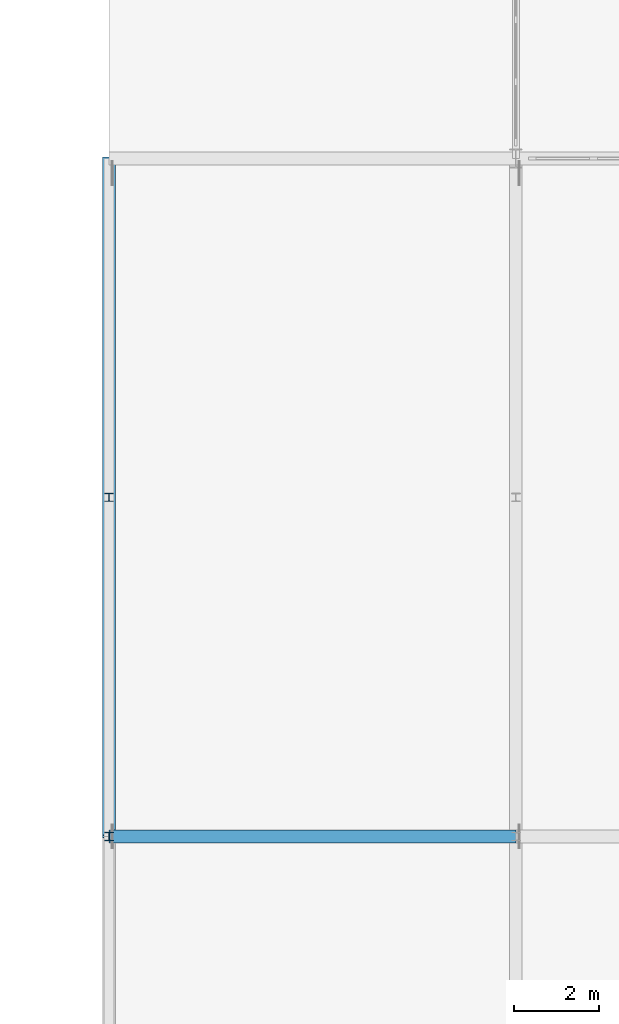
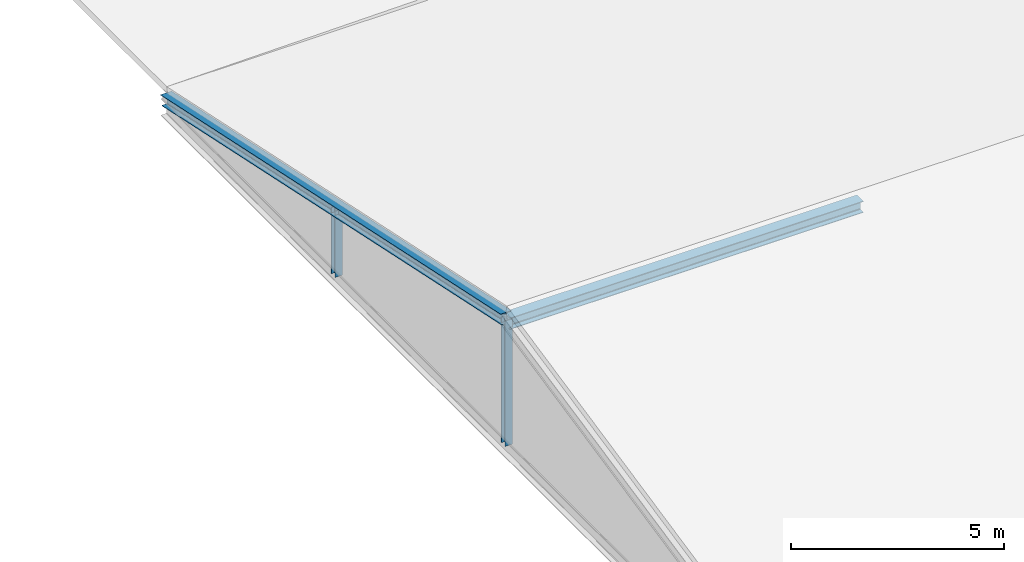
# One storey, part 26 of 85: 3 members, 1 beam.
"""IFC4 building model written with IfcOpenShell, lengths in metres."""

from ifc_helpers import new_model, si_unit, direction, frame, origin, origin_2d, place, context, subcontext, project, spatial, i_section, extrude, material, material_profile, profile_set, type_object, element, save


model = new_model("IFC4")

# Units and contexts
model_context = context("Model", 3, precision=1e-05, world=origin(), true_north=direction((0.0, 1.0)))
body_context = subcontext(model_context, "Body", "Model", "MODEL_VIEW")
ifc_project = project(units=[si_unit("LENGTHUNIT", "METRE"), si_unit("AREAUNIT", "SQUARE_METRE"), si_unit("VOLUMEUNIT", "CUBIC_METRE"), si_unit("PLANEANGLEUNIT", "RADIAN"), si_unit("MASSUNIT", "GRAM", prefix="KILO")], contexts=[model_context])

# Site, building, storey
site_placement = place(None, origin())
site = spatial("IfcSite", under=ifc_project, at=site_placement, CompositionType="ELEMENT")
building_placement = place(site_placement, origin())
building = spatial("IfcBuilding", under=site, at=building_placement, Name="Alderhovde Museum", CompositionType="ELEMENT")
storey_placement = place(building_placement, frame((0.0, 0.0, 8.699951171875)))
storey = spatial("IfcBuildingStorey", under=building, at=storey_placement, Name="L02", CompositionType="ELEMENT", Elevation=8.699951171875)

# Beam
ifc_material_1 = material(Name="Steel S355J2", Category="steel")
ifc_material_profile_1 = material_profile(ifc_material_1, i_section(OverallWidth=0.300048828125, OverallDepth=0.330078125, WebThickness=0.009521484375, FlangeThickness=0.0166015625, FilletRadius=0.027099609375, at=origin_2d()), Name="HEA 340")
ifc_profile_set_1 = profile_set([ifc_material_profile_1], Name="Steel S355J2")
beam_type = type_object("IfcBeamType", Name="BM-HEA340", PredefinedType="BEAM", material=ifc_profile_set_1)
beam_placement = place(storey_placement, frame((67.199951171875, 16.0, 3.02001953125), z_axis=(1.0, 0.0, 0.0), x_axis=(0.0, 1.0, 0.0)))
element("IfcBeam", 1, at=beam_placement, inside=storey, type_object=beam_type, Name="Auditorium Roof Purlin Beam Y=16", PredefinedType="BEAM", context=body_context, shape_type="SweptSolid", body=[
    extrude(i_section(OverallWidth=0.300048828125, OverallDepth=0.330078125, WebThickness=0.009521484375, FlangeThickness=0.0166015625, FilletRadius=0.027099609375, at=origin_2d()), origin(), (0.0, 0.0, 1.0), 9.60009765625),
])

# Members
ifc_material_2 = material(Name="Steel S355J2", Category="steel")
ifc_material_profile_2 = material_profile(ifc_material_2, i_section(OverallWidth=0.300048828125, OverallDepth=0.2900390625, WebThickness=0.008544921875, FlangeThickness=0.013916015625, FilletRadius=0.027099609375, at=origin_2d()), Name="HEA 300")
ifc_profile_set_2 = profile_set([ifc_material_profile_2], Name="Steel S355J2")
member_type_1 = type_object("IfcMemberType", Name="TR-CH-HEA300", PredefinedType="CHORD", material=ifc_profile_set_2)
member_1_placement = place(storey_placement, frame((67.199951171875, 32.0, -0.300048828125), z_axis=(0.0, -0.9781570301, 0.207867324191), x_axis=(1.0, 0.0, 0.0)))
element("IfcMember", 2, at=member_1_placement, inside=storey, type_object=member_type_1, Name="Auditorium Roof Truss X=67.2 North Rafter", PredefinedType="CHORD", context=body_context, shape_type="SweptSolid", body=[
    extrude(i_section(OverallWidth=0.300048828125, OverallDepth=0.2900390625, WebThickness=0.008544921875, FlangeThickness=0.013916015625, FilletRadius=0.027099609375, at=origin_2d()), origin(), (0.0, 0.0, 1.0), 16.357177734375),
])
ifc_material_3 = material(Name="Steel S355J2", Category="steel")
ifc_material_profile_3 = material_profile(ifc_material_3, i_section(OverallWidth=0.199951171875, OverallDepth=0.18994140625, WebThickness=0.006591796875, FlangeThickness=0.010009765625, FilletRadius=0.01806640625, at=origin_2d()), Name="HEA 200")
ifc_profile_set_3 = profile_set([ifc_material_profile_3], Name="Steel S355J2")
member_type_2 = type_object("IfcMemberType", Name="TR-PS-HEA200", PredefinedType="POST", material=ifc_profile_set_3)
member_2_placement = place(storey_placement, frame((67.199951171875, 16.0, -0.5), z_axis=(0.0, 0.0, 1.0), x_axis=(1.0, 0.0, 0.0)))
element("IfcMember", 3, at=member_2_placement, inside=storey, type_object=member_type_2, Name="Auditorium Roof Truss X=67.2 Post P2", PredefinedType="POST", context=body_context, shape_type="SweptSolid", body=[
    extrude(i_section(OverallWidth=0.199951171875, OverallDepth=0.18994140625, WebThickness=0.006591796875, FlangeThickness=0.010009765625, FilletRadius=0.01806640625, at=origin_2d()), origin(), (0.0, 0.0, 1.0), 3.60009765625),
])
member_3_placement = place(storey_placement, frame((67.199951171875, 24.0, -0.5), z_axis=(0.0, 0.0, 1.0), x_axis=(1.0, 0.0, 0.0)))
element("IfcMember", 4, at=member_3_placement, inside=storey, type_object=member_type_2, Name="Auditorium Roof Truss X=67.2 Post P3", PredefinedType="POST", context=body_context, shape_type="SweptSolid", body=[
    extrude(i_section(OverallWidth=0.199951171875, OverallDepth=0.18994140625, WebThickness=0.006591796875, FlangeThickness=0.010009765625, FilletRadius=0.01806640625, at=origin_2d()), origin(), (0.0, 0.0, 1.0), 1.900146484375),
])

save(model, "model.ifc")
